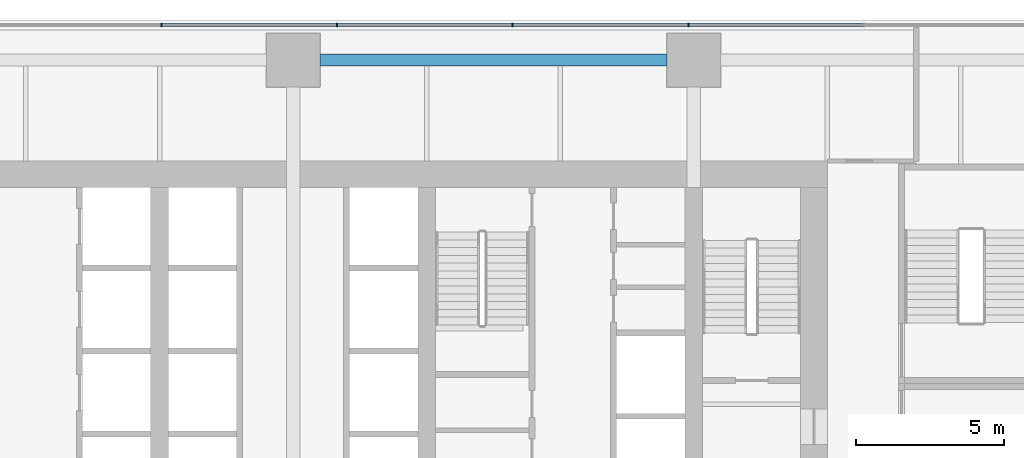
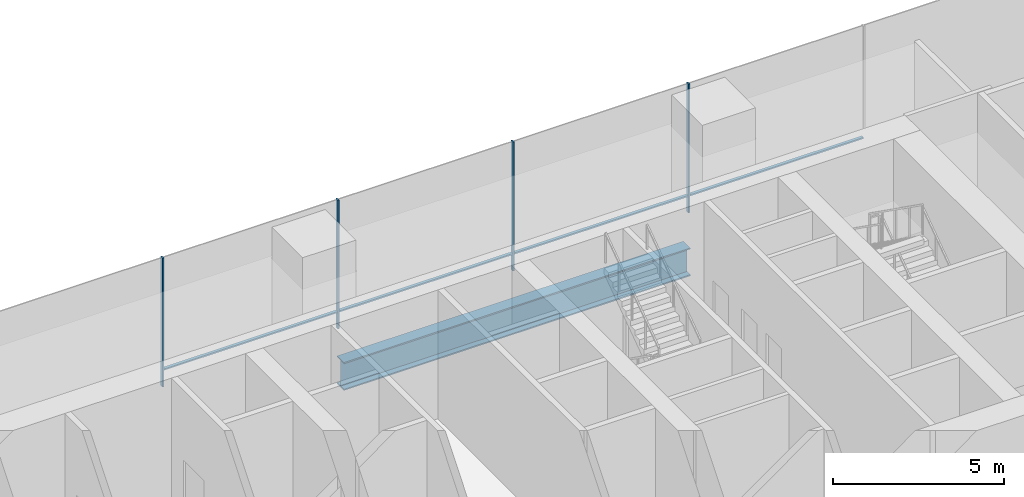
# One storey, part 13 of 28: 8 members, 1 beam, 1 element without a shape of its own.
"""IFC4 building model written with IfcOpenShell, lengths in metres."""

from ifc_helpers import new_model, si_unit, direction, frame, origin, origin_2d, place, context, subcontext, project, spatial, rectangle, i_section, extrude, material, layer, layer_set, material_profile, profile_set, type_object, element, aggregate, save


model = new_model("IFC4")

# Units and contexts
model_context = context("Model", 3, precision=1e-05, world=origin(), true_north=direction((0.0, 1.0)))
body_context = subcontext(model_context, "Body", "Model", "MODEL_VIEW")
ifc_project = project(units=[si_unit("LENGTHUNIT", "METRE"), si_unit("AREAUNIT", "SQUARE_METRE"), si_unit("VOLUMEUNIT", "CUBIC_METRE"), si_unit("PLANEANGLEUNIT", "RADIAN"), si_unit("MASSUNIT", "GRAM", prefix="KILO")], contexts=[model_context])

# Site, building, storey
site_placement = place(None, origin())
site = spatial("IfcSite", under=ifc_project, at=site_placement, CompositionType="ELEMENT")
building_placement = place(site_placement, origin())
building = spatial("IfcBuilding", under=site, at=building_placement, Name="Rattan Terrace Tower", CompositionType="ELEMENT")
storey_placement = place(building_placement, frame((0.0, 0.0, 22.199951171875)))
storey = spatial("IfcBuildingStorey", under=building, at=storey_placement, Name="L04", CompositionType="ELEMENT", Elevation=22.199951171875)

# Beam
ifc_material_1 = material(Name="Steel S460", Category="steel")
ifc_material_profile_1 = material_profile(ifc_material_1, i_section(OverallWidth=0.39990234375, OverallDepth=1.0, WebThickness=0.01806640625, FlangeThickness=0.044921875, at=origin_2d()), Name="PG 1000x400-18-45")
ifc_profile_set_1 = profile_set([ifc_material_profile_1], Name="Steel S460")
beam_type = type_object("IfcBeamType", Name="Frame podium girder PG 1000x400-18-45", PredefinedType="USERDEFINED", material=ifc_profile_set_1)
beam_placement = place(storey_placement, frame((0.89990234375, 10.89990234375, -0.699951171875), z_axis=(1.0, 0.0, 0.0), x_axis=(0.0, 1.0, 0.0)))
element("IfcBeam", 1, at=beam_placement, inside=storey, type_object=beam_type, Name="gdr-L04-049", ObjectType="PODIUM GIRDER", PredefinedType="USERDEFINED", context=body_context, shape_type="SweptSolid", body=[
    extrude(i_section(OverallWidth=0.39990234375, OverallDepth=1.0, WebThickness=0.01806640625, FlangeThickness=0.044921875, at=origin_2d()), origin(), (0.0, 0.0, 1.0), 11.7001953125),
])

# Curtain wall, members
ifc_material_2 = material(Name="Aluminium and glass", Category="aluminium")
ifc_layer = layer(ifc_material_2, 0.1201171875)
ifc_layer_set = layer_set([ifc_layer], Name="Station Storefront Curtain Wall")
curtain_wall_type = type_object("IfcCurtainWallType", Name="Station Storefront Curtain Wall", PredefinedType="NOTDEFINED", material=ifc_layer_set)
curtain_wall_placement = place(storey_placement, origin())
curtain_wall = element("IfcCurtainWall", 2, at=curtain_wall_placement, inside=storey, type_object=curtain_wall_type, Name="Storefront curtain wall L04-2", PredefinedType="NOTDEFINED")
ifc_material_3 = material(Name="Aluminium", Category="aluminium")
ifc_material_profile_2 = material_profile(ifc_material_3, rectangle(XDim=0.050048828125, YDim=0.1201171875, at=origin_2d()), Name="Aluminium 50x120")
ifc_profile_set_2 = profile_set([ifc_material_profile_2], Name="Aluminium")
member_type_1 = type_object("IfcMemberType", Name="Storefront CW Mullion 50x120", PredefinedType="MULLION", material=ifc_profile_set_2)
member_1_placement = place(storey_placement, frame((13.320068359375, 12.080078125, 0.0), z_axis=(0.0, 0.0, 1.0), x_axis=(-1.0, 0.0, 0.0)))
member_1 = element("IfcMember", 3, at=member_1_placement, type_object=member_type_1, Name="Mullion cwl-L04-002.5", PredefinedType="MULLION", context=body_context, shape_type="SweptSolid", body=[
    extrude(rectangle(XDim=0.050048828125, YDim=0.1201171875, at=origin_2d()), origin(), (0.0, 0.0, 1.0), 4.60009765625),
])
member_2_placement = place(storey_placement, frame((7.39990234375, 12.080078125, 0.0), z_axis=(0.0, 0.0, 1.0), x_axis=(-1.0, 0.0, 0.0)))
member_2 = element("IfcMember", 4, at=member_2_placement, type_object=member_type_1, Name="Mullion cwl-L04-002.6", PredefinedType="MULLION", context=body_context, shape_type="SweptSolid", body=[
    extrude(rectangle(XDim=0.050048828125, YDim=0.1201171875, at=origin_2d()), origin(), (0.0, 0.0, 1.0), 4.60009765625),
])
member_3_placement = place(storey_placement, frame((1.47998046875, 12.080078125, 0.0), z_axis=(0.0, 0.0, 1.0), x_axis=(-1.0, 0.0, 0.0)))
member_3 = element("IfcMember", 5, at=member_3_placement, type_object=member_type_1, Name="Mullion cwl-L04-002.7", PredefinedType="MULLION", context=body_context, shape_type="SweptSolid", body=[
    extrude(rectangle(XDim=0.050048828125, YDim=0.1201171875, at=origin_2d()), origin(), (0.0, 0.0, 1.0), 4.60009765625),
])
member_4_placement = place(storey_placement, frame((-4.43994140625, 12.080078125, 0.0), z_axis=(0.0, 0.0, 1.0), x_axis=(-1.0, 0.0, 0.0)))
member_4 = element("IfcMember", 6, at=member_4_placement, type_object=member_type_1, Name="Mullion cwl-L04-002.8", PredefinedType="MULLION", context=body_context, shape_type="SweptSolid", body=[
    extrude(rectangle(XDim=0.050048828125, YDim=0.1201171875, at=origin_2d()), origin(), (0.0, 0.0, 1.0), 4.60009765625),
])
ifc_material_4 = material(Name="Aluminium", Category="aluminium")
ifc_material_profile_3 = material_profile(ifc_material_4, rectangle(XDim=0.10009765625, YDim=0.050048828125, at=origin_2d()), Name="Aluminium 100x50")
ifc_profile_set_3 = profile_set([ifc_material_profile_3], Name="Aluminium")
member_type_2 = type_object("IfcMemberType", Name="Storefront CW Transom 100x50", PredefinedType="USERDEFINED", material=ifc_profile_set_3)
member_5_placement = place(storey_placement, frame((19.215087890625, 12.080078125, 0.60009765625), z_axis=(-1.0, 0.0, 0.0), x_axis=(0.0, -1.0, 0.0)))
member_5 = element("IfcMember", 7, at=member_5_placement, type_object=member_type_2, Name="Transom cwl-L04-002.4", ObjectType="TRANSOM", PredefinedType="USERDEFINED", context=body_context, shape_type="SweptSolid", body=[
    extrude(rectangle(XDim=0.10009765625, YDim=0.050048828125, at=origin_2d()), origin(), (0.0, 0.0, 1.0), 5.8701171875),
])
member_6_placement = place(storey_placement, frame((13.294921875, 12.080078125, 0.60009765625), z_axis=(-1.0, 0.0, 0.0), x_axis=(0.0, -1.0, 0.0)))
member_6 = element("IfcMember", 8, at=member_6_placement, type_object=member_type_2, Name="Transom cwl-L04-002.5", ObjectType="TRANSOM", PredefinedType="USERDEFINED", context=body_context, shape_type="SweptSolid", body=[
    extrude(rectangle(XDim=0.10009765625, YDim=0.050048828125, at=origin_2d()), origin(), (0.0, 0.0, 1.0), 5.869873046875),
])
member_7_placement = place(storey_placement, frame((7.375, 12.080078125, 0.60009765625), z_axis=(-1.0, 0.0, 0.0), x_axis=(0.0, -1.0, 0.0)))
member_7 = element("IfcMember", 9, at=member_7_placement, type_object=member_type_2, Name="Transom cwl-L04-002.6", ObjectType="TRANSOM", PredefinedType="USERDEFINED", context=body_context, shape_type="SweptSolid", body=[
    extrude(rectangle(XDim=0.10009765625, YDim=0.050048828125, at=origin_2d()), origin(), (0.0, 0.0, 1.0), 5.8701171875),
])
member_8_placement = place(storey_placement, frame((1.455078125, 12.080078125, 0.60009765625), z_axis=(-1.0, 0.0, 0.0), x_axis=(0.0, -1.0, 0.0)))
member_8 = element("IfcMember", 10, at=member_8_placement, type_object=member_type_2, Name="Transom cwl-L04-002.7", ObjectType="TRANSOM", PredefinedType="USERDEFINED", context=body_context, shape_type="SweptSolid", body=[
    extrude(rectangle(XDim=0.10009765625, YDim=0.050048828125, at=origin_2d()), origin(), (0.0, 0.0, 1.0), 5.8701171875),
])
aggregate(curtain_wall, [member_1, member_2, member_3, member_4, member_5, member_6, member_7, member_8])

save(model, "model.ifc")
